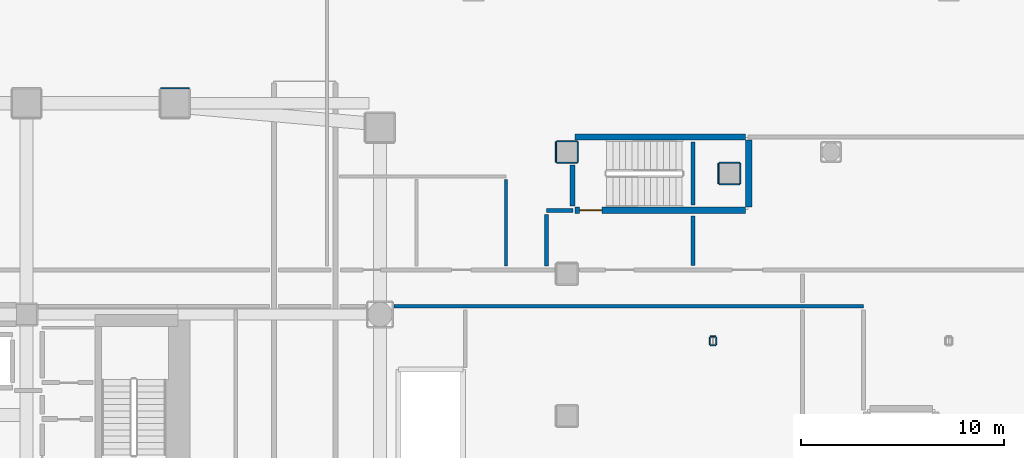
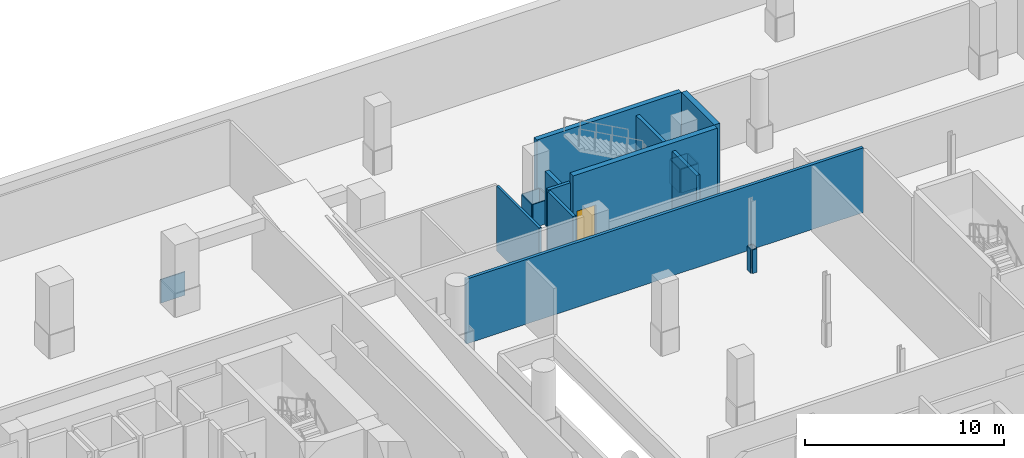
# One storey, part 13 of 22: 23 walls, 1 door, 1 opening.
"""IFC4 building model written with IfcOpenShell, lengths in metres."""

from ifc_helpers import new_model, si_unit, direction, frame, frame_2d, origin, place, context, subcontext, project, spatial, rectangle, extrude, material, layer, layer_set, type_object, element, fill, save


model = new_model("IFC4")

# Units and contexts
model_context = context("Model", 3, precision=1e-05, world=origin(), true_north=direction((0.0, 1.0)))
body_context = subcontext(model_context, "Body", "Model", "MODEL_VIEW")
ifc_project = project(units=[si_unit("LENGTHUNIT", "METRE"), si_unit("AREAUNIT", "SQUARE_METRE"), si_unit("VOLUMEUNIT", "CUBIC_METRE"), si_unit("PLANEANGLEUNIT", "RADIAN"), si_unit("MASSUNIT", "GRAM", prefix="KILO")], contexts=[model_context])

# Site, building, storey
site_placement = place(None, origin())
site = spatial("IfcSite", under=ifc_project, at=site_placement, CompositionType="ELEMENT")
building_placement = place(site_placement, origin())
building = spatial("IfcBuilding", under=site, at=building_placement, Name="Solanera Arch Residences", CompositionType="ELEMENT")
storey_placement = place(building_placement, frame((0.0, 0.0, -4.39990234375)))
storey = spatial("IfcBuildingStorey", under=building, at=storey_placement, Name="B01", CompositionType="ELEMENT", Elevation=-4.39990234375)

# Walls
ifc_material_1 = material(Name="Fire-Rated Gypsum Stud Partition", Category="gypsum")
ifc_layer_1 = layer(ifc_material_1, 0.06005859375)
ifc_layer_set_1 = layer_set([ifc_layer_1], Name="Fire-Rated Gypsum Stud Partition")
wall_type_1 = type_object("IfcWallType", Name="Column Acoustic Furring Wall 60", PredefinedType="PARTITIONING", material=ifc_layer_set_1)
wall_1_placement = place(storey_placement, frame((35.800048828125, 50.531982421875, 0.0), z_axis=(0.0, 0.0, 1.0), x_axis=(1.0, 0.0, 0.0)))
element("IfcWall", 1, at=wall_1_placement, inside=storey, type_object=wall_type_1, Name="B01 Column Furring 14N", PredefinedType="PARTITIONING", context=body_context, shape_type="SweptSolid", body=[
    extrude(rectangle(XDim=1.39990234375, YDim=0.06005859375, at=frame_2d((0.699951171875, 0.0))), origin(), (0.0, 0.0, 1.0), 1.449951171875),
])
for number, where, z_axis, x_axis, name in (
    (2, (62.87109375, 37.885986328125, 0.0), (0.0, 0.0, 1.0), (1.0, 0.0, 0.0), "B01 Column Furring 31S"),
    (3, (62.87109375, 38.31396484375, 0.0), (0.0, 0.0, 1.0), (1.0, 0.0, 0.0), "B01 Column Furring 31N"),
):
    element("IfcWall", number, at=place(storey_placement, frame(where, z_axis=z_axis, x_axis=x_axis)), inside=storey, type_object=wall_type_1, Name=name, PredefinedType="PARTITIONING", context=body_context, shape_type="SweptSolid", body=[
        extrude(rectangle(XDim=0.2578125, YDim=0.06005859375, at=frame_2d((0.12890625, 0.0))), origin(), (0.0, 0.0, 1.0), 1.449951171875),
    ])
for number, where, z_axis, x_axis, name in (
    (4, (62.840087890625, 37.9189453125, 0.0), (0.0, 0.0, 1.0), (0.0, 1.0, 0.0), "B01 Column Furring 31W"),
    (5, (63.159912109375, 37.9189453125, 0.0), (0.0, 0.0, 1.0), (0.0, 1.0, 0.0), "B01 Column Furring 31E"),
):
    element("IfcWall", number, at=place(storey_placement, frame(where, z_axis=z_axis, x_axis=x_axis)), inside=storey, type_object=wall_type_1, Name=name, PredefinedType="PARTITIONING", context=body_context, shape_type="SweptSolid", body=[
        extrude(rectangle(XDim=0.363037109375, YDim=0.06005859375, at=frame_2d((0.181640625, 0.0))), origin(), (0.0, 0.0, 1.0), 1.449951171875),
    ])
for number, where, z_axis, x_axis, name in (
    (6, (63.300048828125, 45.80810546875, 0.0), (0.0, 0.0, 1.0), (1.0, 0.0, 0.0), "B01 Column Furring 42S"),
    (7, (63.300048828125, 46.8720703125, 0.0), (0.0, 0.0, 1.0), (1.0, 0.0, 0.0), "B01 Column Furring 42N"),
    (8, (63.26806640625, 45.840087890625, 0.0), (0.0, 0.0, 1.0), (0.0, 1.0, 0.0), "B01 Column Furring 42W"),
    (9, (64.33203125, 45.840087890625, 0.0), (0.0, 0.0, 1.0), (0.0, 1.0, 0.0), "B01 Column Furring 42E"),
    (10, (55.300048828125, 46.867919921875, 0.0), (0.0, 0.0, 1.0), (1.0, 0.0, 0.0), "B01 Column Furring 48S"),
    (11, (55.300048828125, 47.931884765625, 0.0), (0.0, 0.0, 1.0), (1.0, 0.0, 0.0), "B01 Column Furring 48N"),
    (12, (55.26806640625, 46.89990234375, 0.0), (0.0, 0.0, 1.0), (0.0, 1.0, 0.0), "B01 Column Furring 48W"),
    (13, (56.33203125, 46.89990234375, 0.0), (0.0, 0.0, 1.0), (0.0, 1.0, 0.0), "B01 Column Furring 48E"),
):
    element("IfcWall", number, at=place(storey_placement, frame(where, z_axis=z_axis, x_axis=x_axis)), inside=storey, type_object=wall_type_1, Name=name, PredefinedType="PARTITIONING", context=body_context, shape_type="SweptSolid", body=[
        extrude(rectangle(XDim=1.0, YDim=0.06005859375, at=frame_2d((0.5, 0.0))), origin(), (0.0, 0.0, 1.0), 1.449951171875),
    ])
ifc_material_2 = material(Name="Concrete C40/50 (f'c = 45 MPa)", Category="concrete")
ifc_layer_2 = layer(ifc_material_2, 0.320068359375)
ifc_layer_set_2 = layer_set([ifc_layer_2], Name="Concrete C40/50 (f'c = 45 MPa)")
wall_type_2 = type_object("IfcWallType", Name="Core Shear Wall CW-320", PredefinedType="SHEAR", material=ifc_layer_set_2)
wall_2_placement = place(storey_placement, frame((64.760009765625, 44.679931640625, 0.0), z_axis=(0.0, 0.0, 1.0), x_axis=(0.0, 1.0, 0.0)))
element("IfcWall", 14, at=wall_2_placement, inside=storey, type_object=wall_type_2, Name="B01 Stair ST-H2 East Shear Wall", PredefinedType="SHEAR", context=body_context, shape_type="SweptSolid", body=[
    extrude(rectangle(XDim=3.320068359375, YDim=0.320068359375, at=frame_2d((1.66015625, 0.0))), origin(), (0.0, 0.0, 1.0), 4.39990234375),
])
wall_3_placement = place(storey_placement, frame((56.199951171875, 48.139892578125, 0.0), z_axis=(0.0, 0.0, 1.0), x_axis=(1.0, 0.0, 0.0)))
element("IfcWall", 15, at=wall_3_placement, inside=storey, type_object=wall_type_2, Name="B01 Stair ST-H2 North Shear Wall", PredefinedType="SHEAR", context=body_context, shape_type="SweptSolid", body=[
    extrude(rectangle(XDim=8.400146484375, YDim=0.280029296875, at=frame_2d((4.2001953125, 0.0))), origin(), (0.0, 0.0, 1.0), 4.39990234375),
])

# Wall, opening, door
wall_4_placement = place(storey_placement, frame((56.199951171875, 44.52001953125, 0.0), z_axis=(0.0, 0.0, 1.0), x_axis=(1.0, 0.0, 0.0)))
wall_4 = element("IfcWall", 16, at=wall_4_placement, inside=storey, type_object=wall_type_2, Name="B01 Stair ST-H2 South Shear Wall", PredefinedType="SHEAR", context=body_context, shape_type="SweptSolid", body=[
    extrude(rectangle(XDim=8.400146484375, YDim=0.320068359375, at=frame_2d((4.2001953125, 0.0))), origin(), (0.0, 0.0, 1.0), 4.39990234375),
])
opening_placement = place(wall_4_placement, frame((0.22998046875, 0.0, 0.0)))
opening = element("IfcOpeningElement", 17, at=opening_placement, cuts=wall_4, Name="Opening DF-01", PredefinedType="OPENING", context=body_context, shape_type="SweptSolid", body=[
    extrude(rectangle(XDim=1.10009765625, YDim=2.14990234375, at=frame_2d((0.550048828125, 1.074951171875))), frame((0.0, 0.169921875, 0.0), z_axis=(0.0, -1.0, 0.0), x_axis=(1.0, 0.0, 0.0)), (0.0, 0.0, 1.0), 0.3401),
])
ifc_material_3 = material(Name="Fire-Rated Architectural Hardwood", Category="wood")
door_type = type_object("IfcDoorType", Name="Stair Exit Fire Door DF-01", OperationType="NOTDEFINED", PredefinedType="DOOR", material=ifc_material_3)
door_placement = place(opening_placement, origin())
door = element("IfcDoor", 18, at=door_placement, inside=storey, type_object=door_type, Name="DR-B01-STAIR-ST-H2", OperationType="SINGLE_SWING_RIGHT", OverallHeight=2.14990234375, OverallWidth=1.10009765625, PredefinedType="DOOR", context=body_context, shape_type="SweptSolid", body=[
    extrude(rectangle(XDim=1.10009765625, YDim=2.14990234375, at=frame_2d((0.550048828125, 1.074951171875))), frame((0.0, 0.02490234375, 0.0), z_axis=(0.0, -1.0, 0.0), x_axis=(1.0, 0.0, 0.0)), (0.0, 0.0, 1.0), 0.050048828125),
])
fill(opening, door)

# Walls
ifc_material_4 = material(Name="Autoclaved Aerated Concrete Blockwork", Category="masonry")
ifc_layer_3 = layer(ifc_material_4, 0.179931640625)
ifc_layer_set_3 = layer_set([ifc_layer_3], Name="Autoclaved Aerated Concrete Blockwork")
wall_type_3 = type_object("IfcWallType", Name="Corridor Fire Partition 180", PredefinedType="PARTITIONING", material=ifc_layer_set_3)
wall_5_placement = place(storey_placement, frame((47.302001953125, 39.800048828125, 0.0), z_axis=(0.0, 0.0, 1.0), x_axis=(1.0, 0.0, 0.0)))
element("IfcWall", 19, at=wall_5_placement, inside=storey, type_object=wall_type_3, Name="B01 Interior Partition H15 6", PredefinedType="PARTITIONING", context=body_context, shape_type="SweptSolid", body=[
    extrude(rectangle(XDim=23.097900390625, YDim=0.179931640625, at=frame_2d((11.548828125, 0.0))), origin(), (0.0, 0.0, 1.0), 3.97998046875),
])
wall_6_placement = place(storey_placement, frame((54.800048828125, 44.52001953125, 0.0), z_axis=(0.0, 0.0, 1.0), x_axis=(1.0, 0.0, 0.0)))
element("IfcWall", 20, at=wall_6_placement, inside=storey, type_object=wall_type_3, Name="B01 Interior Partition H16", PredefinedType="PARTITIONING", context=body_context, shape_type="SweptSolid", body=[
    extrude(rectangle(XDim=1.300048828125, YDim=0.179931640625, at=frame_2d((0.64990234375, 0.0))), origin(), (0.0, 0.0, 1.0), 3.97998046875),
])
wall_7_placement = place(storey_placement, frame((54.800048828125, 41.798095703125, 0.0), z_axis=(0.0, 0.0, 1.0), x_axis=(0.0, 1.0, 0.0)))
element("IfcWall", 21, at=wall_7_placement, inside=storey, type_object=wall_type_3, Name="B01 Interior Partition V18", PredefinedType="PARTITIONING", context=body_context, shape_type="SweptSolid", body=[
    extrude(rectangle(XDim=2.533935546875, YDim=0.179931640625, at=frame_2d((1.26708984375, 0.0))), origin(), (0.0, 0.0, 1.0), 3.97998046875),
])
ifc_material_5 = material(Name="Autoclaved Aerated Concrete Blockwork", Category="masonry")
ifc_layer_4 = layer(ifc_material_5, 0.199951171875)
ifc_layer_set_4 = layer_set([ifc_layer_4], Name="Autoclaved Aerated Concrete Blockwork")
wall_type_4 = type_object("IfcWallType", Name="Party Wall Acoustic 200", PredefinedType="PARTITIONING", material=ifc_layer_set_4)
wall_8_placement = place(storey_placement, frame((62.0, 41.80810546875, 0.0), z_axis=(0.0, 0.0, 1.0), x_axis=(0.0, 1.0, 0.0)))
element("IfcWall", 22, at=wall_8_placement, inside=storey, type_object=wall_type_4, Name="B01 Interior Partition V8 1", PredefinedType="PARTITIONING", context=body_context, shape_type="SweptSolid", body=[
    extrude(rectangle(XDim=2.44189453125, YDim=0.199951171875, at=frame_2d((1.220947265625, 0.0))), origin(), (0.0, 0.0, 1.0), 3.97998046875),
])
wall_9_placement = place(storey_placement, frame((62.0, 44.7900390625, 0.0), z_axis=(0.0, 0.0, 1.0), x_axis=(0.0, 1.0, 0.0)))
element("IfcWall", 23, at=wall_9_placement, inside=storey, type_object=wall_type_4, Name="B01 Interior Partition V8 2", PredefinedType="PARTITIONING", context=body_context, shape_type="SweptSolid", body=[
    extrude(rectangle(XDim=3.099853515625, YDim=0.199951171875, at=frame_2d((1.5498046875, 0.0))), origin(), (0.0, 0.0, 1.0), 3.97998046875),
])
ifc_material_6 = material(Name="Autoclaved Aerated Concrete Blockwork", Category="masonry")
ifc_layer_5 = layer(ifc_material_6, 0.239990234375)
ifc_layer_set_5 = layer_set([ifc_layer_5], Name="Autoclaved Aerated Concrete Blockwork")
wall_type_5 = type_object("IfcWallType", Name="Shaft Wall Fire-Rated 240", PredefinedType="PARTITIONING", material=ifc_layer_set_5)
wall_10_placement = place(storey_placement, frame((56.080078125, 44.72998046875, 0.0), z_axis=(0.0, 0.0, 1.0), x_axis=(0.0, 1.0, 0.0)))
element("IfcWall", 24, at=wall_10_placement, inside=storey, type_object=wall_type_5, Name="B01 Stair ST-H2 West Wall", PredefinedType="PARTITIONING", context=body_context, shape_type="SweptSolid", body=[
    extrude(rectangle(XDim=2.0380859375, YDim=0.239990234375, at=frame_2d((1.01904296875, 0.0))), origin(), (0.0, 0.0, 1.0), 3.31494140625),
])
ifc_material_7 = material(Name="Autoclaved Aerated Concrete Blockwork", Category="masonry")
ifc_layer_6 = layer(ifc_material_7, 0.139892578125)
ifc_layer_set_6 = layer_set([ifc_layer_6], Name="Autoclaved Aerated Concrete Blockwork")
wall_type_6 = type_object("IfcWallType", Name="Wet-Room Partition 140", PredefinedType="PARTITIONING", material=ifc_layer_set_6)
wall_11_placement = place(storey_placement, frame((52.800048828125, 41.778076171875, 0.0), z_axis=(0.0, 0.0, 1.0), x_axis=(0.0, 1.0, 0.0)))
element("IfcWall", 25, at=wall_11_placement, inside=storey, type_object=wall_type_6, Name="B01 Interior Partition V23", PredefinedType="PARTITIONING", context=body_context, shape_type="SweptSolid", body=[
    extrude(rectangle(XDim=4.27392578125, YDim=0.139892578125, at=frame_2d((2.136962890625, 0.0))), origin(), (0.0, 0.0, 1.0), 3.97998046875),
])

save(model, "model.ifc")
